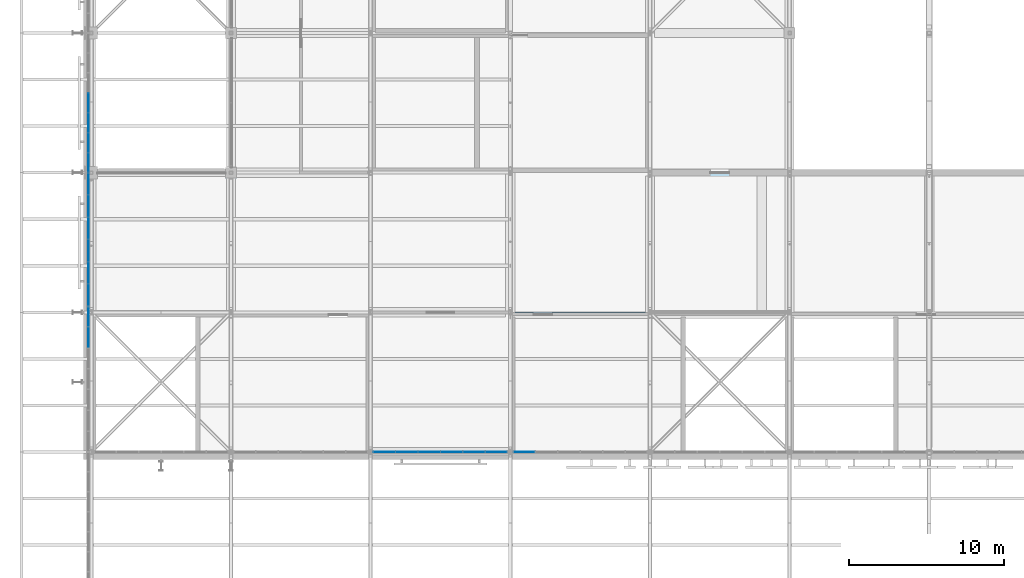
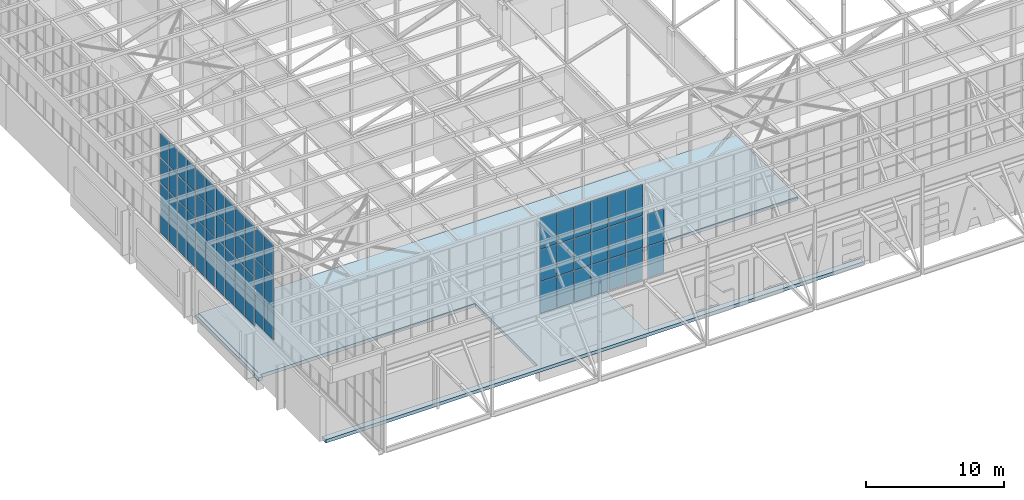
# One storey, part 142 of 646: 66 plates, 1 slab, 5 elements without a shape of their own.
"""IFC4 building model written with IfcOpenShell, lengths in metres."""

from ifc_helpers import new_model, si_unit, direction, frame, origin, origin_2d, place, context, subcontext, project, spatial, polyline, rectangle, outline, extrude, material, layer, layer_set, type_object, element, aggregate, save


model = new_model("IFC4")

# Units and contexts
model_context = context("Model", 3, precision=1e-05, world=origin(), true_north=direction((0.0, 1.0)))
body_context = subcontext(model_context, "Body", "Model", "MODEL_VIEW")
ifc_project = project(units=[si_unit("LENGTHUNIT", "METRE"), si_unit("AREAUNIT", "SQUARE_METRE"), si_unit("VOLUMEUNIT", "CUBIC_METRE"), si_unit("PLANEANGLEUNIT", "RADIAN"), si_unit("MASSUNIT", "GRAM", prefix="KILO")], contexts=[model_context])

# Site, building, storey
site_placement = place(None, origin())
site = spatial("IfcSite", under=ifc_project, at=site_placement, CompositionType="ELEMENT")
building_placement = place(site_placement, origin())
building = spatial("IfcBuilding", under=site, at=building_placement, Name="Silverbay Arena", CompositionType="ELEMENT")
storey_placement = place(building_placement, frame((0.0, 0.0, 33.5)))
storey = spatial("IfcBuildingStorey", under=building, at=storey_placement, Name="L05", CompositionType="ELEMENT", Elevation=33.5)

# Curtain wall, plates
ifc_material_1 = material(Name="Aluminium framed glazing", Category="aluminium")
curtain_wall_type_1 = type_object("IfcCurtainWallType", Name="Curtain wall clerestory 8693 x 8540", PredefinedType="NOTDEFINED", material=ifc_material_1)
curtain_wall_1_placement = place(storey_placement, origin())
curtain_wall_1 = element("IfcCurtainWall", 1, at=curtain_wall_1_placement, inside=storey, type_object=curtain_wall_type_1, Name="ROOF CLERESTORY CURTAIN WALL south bay 03", PredefinedType="NOTDEFINED")
ifc_material_2 = material(Name="Laminated glass", Category="glass")
ifc_layer_1 = layer(ifc_material_2, 0.028076171875)
ifc_layer_set_1 = layer_set([ifc_layer_1], Name="Laminated glass")
plate_type = type_object("IfcPlateType", Name="Glass panel 28", PredefinedType="CURTAIN_PANEL", material=ifc_layer_set_1)
plate_1_placement = place(storey_placement, frame((72.89306640625, 18.0, 4.509765625), z_axis=(0.0, 0.0, 1.0), x_axis=(1.0, 0.0, 0.0)))
plate_1 = element("IfcPlate", 2, at=plate_1_placement, type_object=plate_type, Name="CW55 panel 1.1", PredefinedType="CURTAIN_PANEL", context=body_context, shape_type="SweptSolid", body=[
    extrude(rectangle(XDim=1.35888671875, YDim=0.028076171875, at=origin_2d()), origin(), (0.0, 0.0, 1.0), 2.771728515625),
])
plate_2_placement = place(storey_placement, frame((72.89306640625, 18.0, 7.33154296875), z_axis=(0.0, 0.0, 1.0), x_axis=(1.0, 0.0, 0.0)))
plate_2 = element("IfcPlate", 3, at=plate_2_placement, type_object=plate_type, Name="CW55 panel 1.2", PredefinedType="CURTAIN_PANEL", context=body_context, shape_type="SweptSolid", body=[
    extrude(rectangle(XDim=1.35888671875, YDim=0.028076171875, at=origin_2d()), origin(), (0.0, 0.0, 1.0), 2.796630859375),
])
plate_3_placement = place(storey_placement, frame((72.89306640625, 18.0, 10.17822265625), z_axis=(0.0, 0.0, 1.0), x_axis=(1.0, 0.0, 0.0)))
plate_3 = element("IfcPlate", 4, at=plate_3_placement, type_object=plate_type, Name="CW55 panel 1.3", PredefinedType="CURTAIN_PANEL", context=body_context, shape_type="SweptSolid", body=[
    extrude(rectangle(XDim=1.35888671875, YDim=0.028076171875, at=origin_2d()), origin(), (0.0, 0.0, 1.0), 2.771728515625),
])
plate_4_placement = place(storey_placement, frame((74.326904296875, 18.0, 4.509765625), z_axis=(0.0, 0.0, 1.0), x_axis=(1.0, 0.0, 0.0)))
plate_4 = element("IfcPlate", 5, at=plate_4_placement, type_object=plate_type, Name="CW55 panel 2.1", PredefinedType="CURTAIN_PANEL", context=body_context, shape_type="SweptSolid", body=[
    extrude(rectangle(XDim=1.388671875, YDim=0.028076171875, at=origin_2d()), origin(), (0.0, 0.0, 1.0), 2.771728515625),
])
plate_5_placement = place(storey_placement, frame((74.326904296875, 18.0, 7.33154296875), z_axis=(0.0, 0.0, 1.0), x_axis=(1.0, 0.0, 0.0)))
plate_5 = element("IfcPlate", 6, at=plate_5_placement, type_object=plate_type, Name="CW55 panel 2.2", PredefinedType="CURTAIN_PANEL", context=body_context, shape_type="SweptSolid", body=[
    extrude(rectangle(XDim=1.388671875, YDim=0.028076171875, at=origin_2d()), origin(), (0.0, 0.0, 1.0), 2.796630859375),
])
plate_6_placement = place(storey_placement, frame((74.326904296875, 18.0, 10.17822265625), z_axis=(0.0, 0.0, 1.0), x_axis=(1.0, 0.0, 0.0)))
plate_6 = element("IfcPlate", 7, at=plate_6_placement, type_object=plate_type, Name="CW55 panel 2.3", PredefinedType="CURTAIN_PANEL", context=body_context, shape_type="SweptSolid", body=[
    extrude(rectangle(XDim=1.388671875, YDim=0.028076171875, at=origin_2d()), origin(), (0.0, 0.0, 1.0), 2.771728515625),
])
plate_7_placement = place(storey_placement, frame((75.775634765625, 18.0, 4.509765625), z_axis=(0.0, 0.0, 1.0), x_axis=(1.0, 0.0, 0.0)))
plate_7 = element("IfcPlate", 8, at=plate_7_placement, type_object=plate_type, Name="CW55 panel 3.1", PredefinedType="CURTAIN_PANEL", context=body_context, shape_type="SweptSolid", body=[
    extrude(rectangle(XDim=1.388671875, YDim=0.028076171875, at=origin_2d()), origin(), (0.0, 0.0, 1.0), 2.771728515625),
])
plate_8_placement = place(storey_placement, frame((75.775634765625, 18.0, 7.33154296875), z_axis=(0.0, 0.0, 1.0), x_axis=(1.0, 0.0, 0.0)))
plate_8 = element("IfcPlate", 9, at=plate_8_placement, type_object=plate_type, Name="CW55 panel 3.2", PredefinedType="CURTAIN_PANEL", context=body_context, shape_type="SweptSolid", body=[
    extrude(rectangle(XDim=1.388671875, YDim=0.028076171875, at=origin_2d()), origin(), (0.0, 0.0, 1.0), 2.796630859375),
])
plate_9_placement = place(storey_placement, frame((75.775634765625, 18.0, 10.17822265625), z_axis=(0.0, 0.0, 1.0), x_axis=(1.0, 0.0, 0.0)))
plate_9 = element("IfcPlate", 10, at=plate_9_placement, type_object=plate_type, Name="CW55 panel 3.3", PredefinedType="CURTAIN_PANEL", context=body_context, shape_type="SweptSolid", body=[
    extrude(rectangle(XDim=1.388671875, YDim=0.028076171875, at=origin_2d()), origin(), (0.0, 0.0, 1.0), 2.771728515625),
])
plate_10_placement = place(storey_placement, frame((77.224365234375, 18.0, 4.509765625), z_axis=(0.0, 0.0, 1.0), x_axis=(1.0, 0.0, 0.0)))
plate_10 = element("IfcPlate", 11, at=plate_10_placement, type_object=plate_type, Name="CW55 panel 4.1", PredefinedType="CURTAIN_PANEL", context=body_context, shape_type="SweptSolid", body=[
    extrude(rectangle(XDim=1.388671875, YDim=0.028076171875, at=origin_2d()), origin(), (0.0, 0.0, 1.0), 2.771728515625),
])
plate_11_placement = place(storey_placement, frame((77.224365234375, 18.0, 7.33154296875), z_axis=(0.0, 0.0, 1.0), x_axis=(1.0, 0.0, 0.0)))
plate_11 = element("IfcPlate", 12, at=plate_11_placement, type_object=plate_type, Name="CW55 panel 4.2", PredefinedType="CURTAIN_PANEL", context=body_context, shape_type="SweptSolid", body=[
    extrude(rectangle(XDim=1.388671875, YDim=0.028076171875, at=origin_2d()), origin(), (0.0, 0.0, 1.0), 2.796630859375),
])
plate_12_placement = place(storey_placement, frame((77.224365234375, 18.0, 10.17822265625), z_axis=(0.0, 0.0, 1.0), x_axis=(1.0, 0.0, 0.0)))
plate_12 = element("IfcPlate", 13, at=plate_12_placement, type_object=plate_type, Name="CW55 panel 4.3", PredefinedType="CURTAIN_PANEL", context=body_context, shape_type="SweptSolid", body=[
    extrude(rectangle(XDim=1.388671875, YDim=0.028076171875, at=origin_2d()), origin(), (0.0, 0.0, 1.0), 2.771728515625),
])
plate_13_placement = place(storey_placement, frame((78.673095703125, 18.0, 4.509765625), z_axis=(0.0, 0.0, 1.0), x_axis=(1.0, 0.0, 0.0)))
plate_13 = element("IfcPlate", 14, at=plate_13_placement, type_object=plate_type, Name="CW55 panel 5.1", PredefinedType="CURTAIN_PANEL", context=body_context, shape_type="SweptSolid", body=[
    extrude(rectangle(XDim=1.388671875, YDim=0.028076171875, at=origin_2d()), origin(), (0.0, 0.0, 1.0), 2.771728515625),
])
plate_14_placement = place(storey_placement, frame((78.673095703125, 18.0, 7.33154296875), z_axis=(0.0, 0.0, 1.0), x_axis=(1.0, 0.0, 0.0)))
plate_14 = element("IfcPlate", 15, at=plate_14_placement, type_object=plate_type, Name="CW55 panel 5.2", PredefinedType="CURTAIN_PANEL", context=body_context, shape_type="SweptSolid", body=[
    extrude(rectangle(XDim=1.388671875, YDim=0.028076171875, at=origin_2d()), origin(), (0.0, 0.0, 1.0), 2.796630859375),
])
plate_15_placement = place(storey_placement, frame((78.673095703125, 18.0, 10.17822265625), z_axis=(0.0, 0.0, 1.0), x_axis=(1.0, 0.0, 0.0)))
plate_15 = element("IfcPlate", 16, at=plate_15_placement, type_object=plate_type, Name="CW55 panel 5.3", PredefinedType="CURTAIN_PANEL", context=body_context, shape_type="SweptSolid", body=[
    extrude(rectangle(XDim=1.388671875, YDim=0.028076171875, at=origin_2d()), origin(), (0.0, 0.0, 1.0), 2.771728515625),
])
plate_16_placement = place(storey_placement, frame((80.10693359375, 18.0, 4.509765625), z_axis=(0.0, 0.0, 1.0), x_axis=(1.0, 0.0, 0.0)))
plate_16 = element("IfcPlate", 17, at=plate_16_placement, type_object=plate_type, Name="CW55 panel 6.1", PredefinedType="CURTAIN_PANEL", context=body_context, shape_type="SweptSolid", body=[
    extrude(rectangle(XDim=1.35888671875, YDim=0.028076171875, at=origin_2d()), origin(), (0.0, 0.0, 1.0), 2.771728515625),
])
plate_17_placement = place(storey_placement, frame((80.10693359375, 18.0, 7.33154296875), z_axis=(0.0, 0.0, 1.0), x_axis=(1.0, 0.0, 0.0)))
plate_17 = element("IfcPlate", 18, at=plate_17_placement, type_object=plate_type, Name="CW55 panel 6.2", PredefinedType="CURTAIN_PANEL", context=body_context, shape_type="SweptSolid", body=[
    extrude(rectangle(XDim=1.35888671875, YDim=0.028076171875, at=origin_2d()), origin(), (0.0, 0.0, 1.0), 2.796630859375),
])
plate_18_placement = place(storey_placement, frame((80.10693359375, 18.0, 10.17822265625), z_axis=(0.0, 0.0, 1.0), x_axis=(1.0, 0.0, 0.0)))
plate_18 = element("IfcPlate", 19, at=plate_18_placement, type_object=plate_type, Name="CW55 panel 6.3", PredefinedType="CURTAIN_PANEL", context=body_context, shape_type="SweptSolid", body=[
    extrude(rectangle(XDim=1.35888671875, YDim=0.028076171875, at=origin_2d()), origin(), (0.0, 0.0, 1.0), 2.771728515625),
])
aggregate(curtain_wall_1, [plate_1, plate_2, plate_3, plate_4, plate_5, plate_6, plate_7, plate_8, plate_9, plate_10, plate_11, plate_12, plate_13, plate_14, plate_15, plate_16, plate_17, plate_18])

curtain_wall_2_placement = place(storey_placement, origin())
curtain_wall_2 = element("IfcCurtainWall", 20, at=curtain_wall_2_placement, inside=storey, type_object=curtain_wall_type_1, Name="ROOF CLERESTORY CURTAIN WALL south bay 04", PredefinedType="NOTDEFINED")
plate_19_placement = place(storey_placement, frame((81.89306640625, 18.0, 4.509765625), z_axis=(0.0, 0.0, 1.0), x_axis=(1.0, 0.0, 0.0)))
plate_19 = element("IfcPlate", 21, at=plate_19_placement, type_object=plate_type, Name="CW55 panel 1.1", PredefinedType="CURTAIN_PANEL", context=body_context, shape_type="SweptSolid", body=[
    extrude(rectangle(XDim=1.35888671875, YDim=0.028076171875, at=origin_2d()), origin(), (0.0, 0.0, 1.0), 2.771728515625),
])
plate_20_placement = place(storey_placement, frame((81.89306640625, 18.0, 7.33154296875), z_axis=(0.0, 0.0, 1.0), x_axis=(1.0, 0.0, 0.0)))
plate_20 = element("IfcPlate", 22, at=plate_20_placement, type_object=plate_type, Name="CW55 panel 1.2", PredefinedType="CURTAIN_PANEL", context=body_context, shape_type="SweptSolid", body=[
    extrude(rectangle(XDim=1.35888671875, YDim=0.028076171875, at=origin_2d()), origin(), (0.0, 0.0, 1.0), 2.796630859375),
])
aggregate(curtain_wall_2, [plate_19, plate_20])

ifc_material_3 = material(Name="Aluminium framed glazing", Category="aluminium")
curtain_wall_type_2 = type_object("IfcCurtainWallType", Name="Curtain wall clerestory 9400 x 8547", PredefinedType="NOTDEFINED", material=ifc_material_3)
curtain_wall_3_placement = place(storey_placement, origin())
curtain_wall_3 = element("IfcCurtainWall", 23, at=curtain_wall_3_placement, inside=storey, type_object=curtain_wall_type_2, Name="ROOF GABLE CLERESTORY CURTAIN WALL west bay 02", PredefinedType="NOTDEFINED")
plate_21_placement = place(storey_placement, frame((53.820068359375, 25.3857421875, 4.50341796875), z_axis=(0.0, 0.0, 1.0), x_axis=(0.0, 1.0, 0.0)))
plate_21 = element("IfcPlate", 24, at=plate_21_placement, type_object=plate_type, Name="CW58 panel 6.1", PredefinedType="CURTAIN_PANEL", context=body_context, shape_type="SweptSolid", body=[
    extrude(rectangle(XDim=1.282958984375, YDim=0.028076171875, at=origin_2d()), origin(), (0.0, 0.0, 1.0), 2.77392578125),
])
plate_22_placement = place(storey_placement, frame((53.820068359375, 25.3857421875, 7.327392578125), z_axis=(0.0, 0.0, 1.0), x_axis=(0.0, 1.0, 0.0)))
plate_22 = element("IfcPlate", 25, at=plate_22_placement, type_object=plate_type, Name="CW58 panel 6.2", PredefinedType="CURTAIN_PANEL", context=body_context, shape_type="SweptSolid", body=[
    extrude(rectangle(XDim=1.282958984375, YDim=0.028076171875, at=origin_2d()), origin(), (0.0, 0.0, 1.0), 2.798828125),
])
plate_23_placement = place(storey_placement, frame((53.820068359375, 25.3857421875, 10.176025390625), z_axis=(0.0, 0.0, 1.0), x_axis=(0.0, 1.0, 0.0)))
plate_23 = element("IfcPlate", 26, at=plate_23_placement, type_object=plate_type, Name="CW58 panel 6.3", PredefinedType="CURTAIN_PANEL", context=body_context, shape_type="SweptSolid", body=[
    extrude(rectangle(XDim=1.282958984375, YDim=0.028076171875, at=origin_2d()), origin(), (0.0, 0.0, 1.0), 2.77392578125),
])
plate_24_placement = place(storey_placement, frame((53.820068359375, 26.713623046875, 4.50341796875), z_axis=(0.0, 0.0, 1.0), x_axis=(0.0, 1.0, 0.0)))
plate_24 = element("IfcPlate", 27, at=plate_24_placement, type_object=plate_type, Name="CW58 panel 7.1", PredefinedType="CURTAIN_PANEL", context=body_context, shape_type="SweptSolid", body=[
    extrude(rectangle(XDim=1.2529296875, YDim=0.028076171875, at=origin_2d()), origin(), (0.0, 0.0, 1.0), 2.77392578125),
])
plate_25_placement = place(storey_placement, frame((53.820068359375, 26.713623046875, 7.327392578125), z_axis=(0.0, 0.0, 1.0), x_axis=(0.0, 1.0, 0.0)))
plate_25 = element("IfcPlate", 28, at=plate_25_placement, type_object=plate_type, Name="CW58 panel 7.2", PredefinedType="CURTAIN_PANEL", context=body_context, shape_type="SweptSolid", body=[
    extrude(rectangle(XDim=1.2529296875, YDim=0.028076171875, at=origin_2d()), origin(), (0.0, 0.0, 1.0), 2.798828125),
])
plate_26_placement = place(storey_placement, frame((53.820068359375, 26.713623046875, 10.176025390625), z_axis=(0.0, 0.0, 1.0), x_axis=(0.0, 1.0, 0.0)))
plate_26 = element("IfcPlate", 29, at=plate_26_placement, type_object=plate_type, Name="CW58 panel 7.3", PredefinedType="CURTAIN_PANEL", context=body_context, shape_type="SweptSolid", body=[
    extrude(rectangle(XDim=1.2529296875, YDim=0.028076171875, at=origin_2d()), origin(), (0.0, 0.0, 1.0), 2.77392578125),
])
aggregate(curtain_wall_3, [plate_21, plate_22, plate_23, plate_24, plate_25, plate_26])

ifc_material_4 = material(Name="Aluminium framed glazing", Category="aluminium")
curtain_wall_type_3 = type_object("IfcCurtainWallType", Name="Curtain wall clerestory 8600 x 9000", PredefinedType="NOTDEFINED", material=ifc_material_4)
curtain_wall_4_placement = place(storey_placement, origin())
curtain_wall_4 = element("IfcCurtainWall", 30, at=curtain_wall_4_placement, inside=storey, type_object=curtain_wall_type_3, Name="ROOF GABLE CLERESTORY CURTAIN WALL west bay 03", PredefinedType="NOTDEFINED")
plate_27_placement = place(storey_placement, frame((53.820068359375, 28.131591796875, 4.0498046875), z_axis=(0.0, 0.0, 1.0), x_axis=(0.0, 1.0, 0.0)))
plate_27 = element("IfcPlate", 31, at=plate_27_placement, type_object=plate_type, Name="CW59 panel 1.1", PredefinedType="CURTAIN_PANEL", context=body_context, shape_type="SweptSolid", body=[
    extrude(rectangle(XDim=1.34326171875, YDim=0.028076171875, at=origin_2d()), origin(), (0.0, 0.0, 1.0), 2.175048828125),
])
plate_28_placement = place(storey_placement, frame((53.820068359375, 28.131591796875, 6.27490234375), z_axis=(0.0, 0.0, 1.0), x_axis=(0.0, 1.0, 0.0)))
plate_28 = element("IfcPlate", 32, at=plate_28_placement, type_object=plate_type, Name="CW59 panel 1.2", PredefinedType="CURTAIN_PANEL", context=body_context, shape_type="SweptSolid", body=[
    extrude(rectangle(XDim=1.34326171875, YDim=0.028076171875, at=origin_2d()), origin(), (0.0, 0.0, 1.0), 2.199951171875),
])
plate_29_placement = place(storey_placement, frame((53.820068359375, 28.131591796875, 8.52490234375), z_axis=(0.0, 0.0, 1.0), x_axis=(0.0, 1.0, 0.0)))
plate_29 = element("IfcPlate", 33, at=plate_29_placement, type_object=plate_type, Name="CW59 panel 1.3", PredefinedType="CURTAIN_PANEL", context=body_context, shape_type="SweptSolid", body=[
    extrude(rectangle(XDim=1.34326171875, YDim=0.028076171875, at=origin_2d()), origin(), (0.0, 0.0, 1.0), 2.199951171875),
])
plate_30_placement = place(storey_placement, frame((53.820068359375, 28.131591796875, 10.77490234375), z_axis=(0.0, 0.0, 1.0), x_axis=(0.0, 1.0, 0.0)))
plate_30 = element("IfcPlate", 34, at=plate_30_placement, type_object=plate_type, Name="CW59 panel 1.4", PredefinedType="CURTAIN_PANEL", context=body_context, shape_type="SweptSolid", body=[
    extrude(rectangle(XDim=1.34326171875, YDim=0.028076171875, at=origin_2d()), origin(), (0.0, 0.0, 1.0), 2.175048828125),
])
plate_31_placement = place(storey_placement, frame((53.820068359375, 29.550048828125, 4.0498046875), z_axis=(0.0, 0.0, 1.0), x_axis=(0.0, 1.0, 0.0)))
plate_31 = element("IfcPlate", 35, at=plate_31_placement, type_object=plate_type, Name="CW59 panel 2.1", PredefinedType="CURTAIN_PANEL", context=body_context, shape_type="SweptSolid", body=[
    extrude(rectangle(XDim=1.373291015625, YDim=0.028076171875, at=origin_2d()), origin(), (0.0, 0.0, 1.0), 2.175048828125),
])
plate_32_placement = place(storey_placement, frame((53.820068359375, 29.550048828125, 6.27490234375), z_axis=(0.0, 0.0, 1.0), x_axis=(0.0, 1.0, 0.0)))
plate_32 = element("IfcPlate", 36, at=plate_32_placement, type_object=plate_type, Name="CW59 panel 2.2", PredefinedType="CURTAIN_PANEL", context=body_context, shape_type="SweptSolid", body=[
    extrude(rectangle(XDim=1.373291015625, YDim=0.028076171875, at=origin_2d()), origin(), (0.0, 0.0, 1.0), 2.199951171875),
])
plate_33_placement = place(storey_placement, frame((53.820068359375, 29.550048828125, 8.52490234375), z_axis=(0.0, 0.0, 1.0), x_axis=(0.0, 1.0, 0.0)))
plate_33 = element("IfcPlate", 37, at=plate_33_placement, type_object=plate_type, Name="CW59 panel 2.3", PredefinedType="CURTAIN_PANEL", context=body_context, shape_type="SweptSolid", body=[
    extrude(rectangle(XDim=1.373291015625, YDim=0.028076171875, at=origin_2d()), origin(), (0.0, 0.0, 1.0), 2.199951171875),
])
plate_34_placement = place(storey_placement, frame((53.820068359375, 29.550048828125, 10.77490234375), z_axis=(0.0, 0.0, 1.0), x_axis=(0.0, 1.0, 0.0)))
plate_34 = element("IfcPlate", 38, at=plate_34_placement, type_object=plate_type, Name="CW59 panel 2.4", PredefinedType="CURTAIN_PANEL", context=body_context, shape_type="SweptSolid", body=[
    extrude(rectangle(XDim=1.373291015625, YDim=0.028076171875, at=origin_2d()), origin(), (0.0, 0.0, 1.0), 2.175048828125),
])
plate_35_placement = place(storey_placement, frame((53.820068359375, 30.9833984375, 4.0498046875), z_axis=(0.0, 0.0, 1.0), x_axis=(0.0, 1.0, 0.0)))
plate_35 = element("IfcPlate", 39, at=plate_35_placement, type_object=plate_type, Name="CW59 panel 3.1", PredefinedType="CURTAIN_PANEL", context=body_context, shape_type="SweptSolid", body=[
    extrude(rectangle(XDim=1.373291015625, YDim=0.028076171875, at=origin_2d()), origin(), (0.0, 0.0, 1.0), 2.175048828125),
])
plate_36_placement = place(storey_placement, frame((53.820068359375, 30.9833984375, 6.27490234375), z_axis=(0.0, 0.0, 1.0), x_axis=(0.0, 1.0, 0.0)))
plate_36 = element("IfcPlate", 40, at=plate_36_placement, type_object=plate_type, Name="CW59 panel 3.2", PredefinedType="CURTAIN_PANEL", context=body_context, shape_type="SweptSolid", body=[
    extrude(rectangle(XDim=1.373291015625, YDim=0.028076171875, at=origin_2d()), origin(), (0.0, 0.0, 1.0), 2.199951171875),
])
plate_37_placement = place(storey_placement, frame((53.820068359375, 30.9833984375, 8.52490234375), z_axis=(0.0, 0.0, 1.0), x_axis=(0.0, 1.0, 0.0)))
plate_37 = element("IfcPlate", 41, at=plate_37_placement, type_object=plate_type, Name="CW59 panel 3.3", PredefinedType="CURTAIN_PANEL", context=body_context, shape_type="SweptSolid", body=[
    extrude(rectangle(XDim=1.373291015625, YDim=0.028076171875, at=origin_2d()), origin(), (0.0, 0.0, 1.0), 2.199951171875),
])
plate_38_placement = place(storey_placement, frame((53.820068359375, 30.9833984375, 10.77490234375), z_axis=(0.0, 0.0, 1.0), x_axis=(0.0, 1.0, 0.0)))
plate_38 = element("IfcPlate", 42, at=plate_38_placement, type_object=plate_type, Name="CW59 panel 3.4", PredefinedType="CURTAIN_PANEL", context=body_context, shape_type="SweptSolid", body=[
    extrude(rectangle(XDim=1.373291015625, YDim=0.028076171875, at=origin_2d()), origin(), (0.0, 0.0, 1.0), 2.175048828125),
])
plate_39_placement = place(storey_placement, frame((53.820068359375, 32.416748046875, 4.0498046875), z_axis=(0.0, 0.0, 1.0), x_axis=(0.0, 1.0, 0.0)))
plate_39 = element("IfcPlate", 43, at=plate_39_placement, type_object=plate_type, Name="CW59 panel 4.1", PredefinedType="CURTAIN_PANEL", context=body_context, shape_type="SweptSolid", body=[
    extrude(rectangle(XDim=1.373291015625, YDim=0.028076171875, at=origin_2d()), origin(), (0.0, 0.0, 1.0), 2.175048828125),
])
plate_40_placement = place(storey_placement, frame((53.820068359375, 32.416748046875, 6.27490234375), z_axis=(0.0, 0.0, 1.0), x_axis=(0.0, 1.0, 0.0)))
plate_40 = element("IfcPlate", 44, at=plate_40_placement, type_object=plate_type, Name="CW59 panel 4.2", PredefinedType="CURTAIN_PANEL", context=body_context, shape_type="SweptSolid", body=[
    extrude(rectangle(XDim=1.373291015625, YDim=0.028076171875, at=origin_2d()), origin(), (0.0, 0.0, 1.0), 2.199951171875),
])
plate_41_placement = place(storey_placement, frame((53.820068359375, 32.416748046875, 8.52490234375), z_axis=(0.0, 0.0, 1.0), x_axis=(0.0, 1.0, 0.0)))
plate_41 = element("IfcPlate", 45, at=plate_41_placement, type_object=plate_type, Name="CW59 panel 4.3", PredefinedType="CURTAIN_PANEL", context=body_context, shape_type="SweptSolid", body=[
    extrude(rectangle(XDim=1.373291015625, YDim=0.028076171875, at=origin_2d()), origin(), (0.0, 0.0, 1.0), 2.199951171875),
])
plate_42_placement = place(storey_placement, frame((53.820068359375, 32.416748046875, 10.77490234375), z_axis=(0.0, 0.0, 1.0), x_axis=(0.0, 1.0, 0.0)))
plate_42 = element("IfcPlate", 46, at=plate_42_placement, type_object=plate_type, Name="CW59 panel 4.4", PredefinedType="CURTAIN_PANEL", context=body_context, shape_type="SweptSolid", body=[
    extrude(rectangle(XDim=1.373291015625, YDim=0.028076171875, at=origin_2d()), origin(), (0.0, 0.0, 1.0), 2.175048828125),
])
plate_43_placement = place(storey_placement, frame((53.820068359375, 33.85009765625, 4.0498046875), z_axis=(0.0, 0.0, 1.0), x_axis=(0.0, 1.0, 0.0)))
plate_43 = element("IfcPlate", 47, at=plate_43_placement, type_object=plate_type, Name="CW59 panel 5.1", PredefinedType="CURTAIN_PANEL", context=body_context, shape_type="SweptSolid", body=[
    extrude(rectangle(XDim=1.373291015625, YDim=0.028076171875, at=origin_2d()), origin(), (0.0, 0.0, 1.0), 2.175048828125),
])
plate_44_placement = place(storey_placement, frame((53.820068359375, 33.85009765625, 6.27490234375), z_axis=(0.0, 0.0, 1.0), x_axis=(0.0, 1.0, 0.0)))
plate_44 = element("IfcPlate", 48, at=plate_44_placement, type_object=plate_type, Name="CW59 panel 5.2", PredefinedType="CURTAIN_PANEL", context=body_context, shape_type="SweptSolid", body=[
    extrude(rectangle(XDim=1.373291015625, YDim=0.028076171875, at=origin_2d()), origin(), (0.0, 0.0, 1.0), 2.199951171875),
])
plate_45_placement = place(storey_placement, frame((53.820068359375, 33.85009765625, 8.52490234375), z_axis=(0.0, 0.0, 1.0), x_axis=(0.0, 1.0, 0.0)))
plate_45 = element("IfcPlate", 49, at=plate_45_placement, type_object=plate_type, Name="CW59 panel 5.3", PredefinedType="CURTAIN_PANEL", context=body_context, shape_type="SweptSolid", body=[
    extrude(rectangle(XDim=1.373291015625, YDim=0.028076171875, at=origin_2d()), origin(), (0.0, 0.0, 1.0), 2.199951171875),
])
plate_46_placement = place(storey_placement, frame((53.820068359375, 33.85009765625, 10.77490234375), z_axis=(0.0, 0.0, 1.0), x_axis=(0.0, 1.0, 0.0)))
plate_46 = element("IfcPlate", 50, at=plate_46_placement, type_object=plate_type, Name="CW59 panel 5.4", PredefinedType="CURTAIN_PANEL", context=body_context, shape_type="SweptSolid", body=[
    extrude(rectangle(XDim=1.373291015625, YDim=0.028076171875, at=origin_2d()), origin(), (0.0, 0.0, 1.0), 2.175048828125),
])
plate_47_placement = place(storey_placement, frame((53.820068359375, 35.268310546875, 4.0498046875), z_axis=(0.0, 0.0, 1.0), x_axis=(0.0, 1.0, 0.0)))
plate_47 = element("IfcPlate", 51, at=plate_47_placement, type_object=plate_type, Name="CW59 panel 6.1", PredefinedType="CURTAIN_PANEL", context=body_context, shape_type="SweptSolid", body=[
    extrude(rectangle(XDim=1.34326171875, YDim=0.028076171875, at=origin_2d()), origin(), (0.0, 0.0, 1.0), 2.175048828125),
])
plate_48_placement = place(storey_placement, frame((53.820068359375, 35.268310546875, 6.27490234375), z_axis=(0.0, 0.0, 1.0), x_axis=(0.0, 1.0, 0.0)))
plate_48 = element("IfcPlate", 52, at=plate_48_placement, type_object=plate_type, Name="CW59 panel 6.2", PredefinedType="CURTAIN_PANEL", context=body_context, shape_type="SweptSolid", body=[
    extrude(rectangle(XDim=1.34326171875, YDim=0.028076171875, at=origin_2d()), origin(), (0.0, 0.0, 1.0), 2.199951171875),
])
plate_49_placement = place(storey_placement, frame((53.820068359375, 35.268310546875, 8.52490234375), z_axis=(0.0, 0.0, 1.0), x_axis=(0.0, 1.0, 0.0)))
plate_49 = element("IfcPlate", 53, at=plate_49_placement, type_object=plate_type, Name="CW59 panel 6.3", PredefinedType="CURTAIN_PANEL", context=body_context, shape_type="SweptSolid", body=[
    extrude(rectangle(XDim=1.34326171875, YDim=0.028076171875, at=origin_2d()), origin(), (0.0, 0.0, 1.0), 2.199951171875),
])
plate_50_placement = place(storey_placement, frame((53.820068359375, 35.268310546875, 10.77490234375), z_axis=(0.0, 0.0, 1.0), x_axis=(0.0, 1.0, 0.0)))
plate_50 = element("IfcPlate", 54, at=plate_50_placement, type_object=plate_type, Name="CW59 panel 6.4", PredefinedType="CURTAIN_PANEL", context=body_context, shape_type="SweptSolid", body=[
    extrude(rectangle(XDim=1.34326171875, YDim=0.028076171875, at=origin_2d()), origin(), (0.0, 0.0, 1.0), 2.175048828125),
])
aggregate(curtain_wall_4, [plate_27, plate_28, plate_29, plate_30, plate_31, plate_32, plate_33, plate_34, plate_35, plate_36, plate_37, plate_38, plate_39, plate_40, plate_41, plate_42, plate_43, plate_44, plate_45, plate_46, plate_47, plate_48, plate_49, plate_50])

ifc_material_5 = material(Name="Aluminium framed glazing", Category="aluminium")
curtain_wall_type_4 = type_object("IfcCurtainWallType", Name="Curtain wall clerestory 9000 x 9000", PredefinedType="NOTDEFINED", material=ifc_material_5)
curtain_wall_5_placement = place(storey_placement, origin())
curtain_wall_5 = element("IfcCurtainWall", 55, at=curtain_wall_5_placement, inside=storey, type_object=curtain_wall_type_4, Name="ROOF GABLE CLERESTORY CURTAIN WALL west bay 04", PredefinedType="NOTDEFINED")
plate_51_placement = place(storey_placement, frame((53.820068359375, 36.657958984375, 4.0498046875), z_axis=(0.0, 0.0, 1.0), x_axis=(0.0, 1.0, 0.0)))
plate_51 = element("IfcPlate", 56, at=plate_51_placement, type_object=plate_type, Name="CW60 panel 1.1", PredefinedType="CURTAIN_PANEL", context=body_context, shape_type="SweptSolid", body=[
    extrude(rectangle(XDim=1.19580078125, YDim=0.028076171875, at=origin_2d()), origin(), (0.0, 0.0, 1.0), 2.175048828125),
])
plate_52_placement = place(storey_placement, frame((53.820068359375, 36.657958984375, 6.27490234375), z_axis=(0.0, 0.0, 1.0), x_axis=(0.0, 1.0, 0.0)))
plate_52 = element("IfcPlate", 57, at=plate_52_placement, type_object=plate_type, Name="CW60 panel 1.2", PredefinedType="CURTAIN_PANEL", context=body_context, shape_type="SweptSolid", body=[
    extrude(rectangle(XDim=1.19580078125, YDim=0.028076171875, at=origin_2d()), origin(), (0.0, 0.0, 1.0), 2.199951171875),
])
plate_53_placement = place(storey_placement, frame((53.820068359375, 36.657958984375, 8.52490234375), z_axis=(0.0, 0.0, 1.0), x_axis=(0.0, 1.0, 0.0)))
plate_53 = element("IfcPlate", 58, at=plate_53_placement, type_object=plate_type, Name="CW60 panel 1.3", PredefinedType="CURTAIN_PANEL", context=body_context, shape_type="SweptSolid", body=[
    extrude(rectangle(XDim=1.19580078125, YDim=0.028076171875, at=origin_2d()), origin(), (0.0, 0.0, 1.0), 2.199951171875),
])
plate_54_placement = place(storey_placement, frame((53.820068359375, 36.657958984375, 10.77490234375), z_axis=(0.0, 0.0, 1.0), x_axis=(0.0, 1.0, 0.0)))
plate_54 = element("IfcPlate", 59, at=plate_54_placement, type_object=plate_type, Name="CW60 panel 1.4", PredefinedType="CURTAIN_PANEL", context=body_context, shape_type="SweptSolid", body=[
    extrude(rectangle(XDim=1.19580078125, YDim=0.028076171875, at=origin_2d()), origin(), (0.0, 0.0, 1.0), 2.175048828125),
])
plate_55_placement = place(storey_placement, frame((53.820068359375, 37.928466796875, 4.0498046875), z_axis=(0.0, 0.0, 1.0), x_axis=(0.0, 1.0, 0.0)))
plate_55 = element("IfcPlate", 60, at=plate_55_placement, type_object=plate_type, Name="CW60 panel 2.1", PredefinedType="CURTAIN_PANEL", context=body_context, shape_type="SweptSolid", body=[
    extrude(rectangle(XDim=1.225830078125, YDim=0.028076171875, at=origin_2d()), origin(), (0.0, 0.0, 1.0), 2.175048828125),
])
plate_56_placement = place(storey_placement, frame((53.820068359375, 37.928466796875, 6.27490234375), z_axis=(0.0, 0.0, 1.0), x_axis=(0.0, 1.0, 0.0)))
plate_56 = element("IfcPlate", 61, at=plate_56_placement, type_object=plate_type, Name="CW60 panel 2.2", PredefinedType="CURTAIN_PANEL", context=body_context, shape_type="SweptSolid", body=[
    extrude(rectangle(XDim=1.225830078125, YDim=0.028076171875, at=origin_2d()), origin(), (0.0, 0.0, 1.0), 2.199951171875),
])
plate_57_placement = place(storey_placement, frame((53.820068359375, 37.928466796875, 8.52490234375), z_axis=(0.0, 0.0, 1.0), x_axis=(0.0, 1.0, 0.0)))
plate_57 = element("IfcPlate", 62, at=plate_57_placement, type_object=plate_type, Name="CW60 panel 2.3", PredefinedType="CURTAIN_PANEL", context=body_context, shape_type="SweptSolid", body=[
    extrude(rectangle(XDim=1.225830078125, YDim=0.028076171875, at=origin_2d()), origin(), (0.0, 0.0, 1.0), 2.199951171875),
])
plate_58_placement = place(storey_placement, frame((53.820068359375, 37.928466796875, 10.77490234375), z_axis=(0.0, 0.0, 1.0), x_axis=(0.0, 1.0, 0.0)))
plate_58 = element("IfcPlate", 63, at=plate_58_placement, type_object=plate_type, Name="CW60 panel 2.4", PredefinedType="CURTAIN_PANEL", context=body_context, shape_type="SweptSolid", body=[
    extrude(rectangle(XDim=1.225830078125, YDim=0.028076171875, at=origin_2d()), origin(), (0.0, 0.0, 1.0), 2.175048828125),
])
plate_59_placement = place(storey_placement, frame((53.820068359375, 39.21435546875, 4.0498046875), z_axis=(0.0, 0.0, 1.0), x_axis=(0.0, 1.0, 0.0)))
plate_59 = element("IfcPlate", 64, at=plate_59_placement, type_object=plate_type, Name="CW60 panel 3.1", PredefinedType="CURTAIN_PANEL", context=body_context, shape_type="SweptSolid", body=[
    extrude(rectangle(XDim=1.225830078125, YDim=0.028076171875, at=origin_2d()), origin(), (0.0, 0.0, 1.0), 2.175048828125),
])
plate_60_placement = place(storey_placement, frame((53.820068359375, 39.21435546875, 6.27490234375), z_axis=(0.0, 0.0, 1.0), x_axis=(0.0, 1.0, 0.0)))
plate_60 = element("IfcPlate", 65, at=plate_60_placement, type_object=plate_type, Name="CW60 panel 3.2", PredefinedType="CURTAIN_PANEL", context=body_context, shape_type="SweptSolid", body=[
    extrude(rectangle(XDim=1.225830078125, YDim=0.028076171875, at=origin_2d()), origin(), (0.0, 0.0, 1.0), 2.199951171875),
])
plate_61_placement = place(storey_placement, frame((53.820068359375, 39.21435546875, 8.52490234375), z_axis=(0.0, 0.0, 1.0), x_axis=(0.0, 1.0, 0.0)))
plate_61 = element("IfcPlate", 66, at=plate_61_placement, type_object=plate_type, Name="CW60 panel 3.3", PredefinedType="CURTAIN_PANEL", context=body_context, shape_type="SweptSolid", body=[
    extrude(rectangle(XDim=1.225830078125, YDim=0.028076171875, at=origin_2d()), origin(), (0.0, 0.0, 1.0), 2.199951171875),
])
plate_62_placement = place(storey_placement, frame((53.820068359375, 39.21435546875, 10.77490234375), z_axis=(0.0, 0.0, 1.0), x_axis=(0.0, 1.0, 0.0)))
plate_62 = element("IfcPlate", 67, at=plate_62_placement, type_object=plate_type, Name="CW60 panel 3.4", PredefinedType="CURTAIN_PANEL", context=body_context, shape_type="SweptSolid", body=[
    extrude(rectangle(XDim=1.225830078125, YDim=0.028076171875, at=origin_2d()), origin(), (0.0, 0.0, 1.0), 2.175048828125),
])
plate_63_placement = place(storey_placement, frame((53.820068359375, 40.5, 4.0498046875), z_axis=(0.0, 0.0, 1.0), x_axis=(0.0, 1.0, 0.0)))
plate_63 = element("IfcPlate", 68, at=plate_63_placement, type_object=plate_type, Name="CW60 panel 4.1", PredefinedType="CURTAIN_PANEL", context=body_context, shape_type="SweptSolid", body=[
    extrude(rectangle(XDim=1.225830078125, YDim=0.028076171875, at=origin_2d()), origin(), (0.0, 0.0, 1.0), 2.175048828125),
])
plate_64_placement = place(storey_placement, frame((53.820068359375, 40.5, 6.27490234375), z_axis=(0.0, 0.0, 1.0), x_axis=(0.0, 1.0, 0.0)))
plate_64 = element("IfcPlate", 69, at=plate_64_placement, type_object=plate_type, Name="CW60 panel 4.2", PredefinedType="CURTAIN_PANEL", context=body_context, shape_type="SweptSolid", body=[
    extrude(rectangle(XDim=1.225830078125, YDim=0.028076171875, at=origin_2d()), origin(), (0.0, 0.0, 1.0), 2.199951171875),
])
plate_65_placement = place(storey_placement, frame((53.820068359375, 40.5, 8.52490234375), z_axis=(0.0, 0.0, 1.0), x_axis=(0.0, 1.0, 0.0)))
plate_65 = element("IfcPlate", 70, at=plate_65_placement, type_object=plate_type, Name="CW60 panel 4.3", PredefinedType="CURTAIN_PANEL", context=body_context, shape_type="SweptSolid", body=[
    extrude(rectangle(XDim=1.225830078125, YDim=0.028076171875, at=origin_2d()), origin(), (0.0, 0.0, 1.0), 2.199951171875),
])
plate_66_placement = place(storey_placement, frame((53.820068359375, 40.5, 10.77490234375), z_axis=(0.0, 0.0, 1.0), x_axis=(0.0, 1.0, 0.0)))
plate_66 = element("IfcPlate", 71, at=plate_66_placement, type_object=plate_type, Name="CW60 panel 4.4", PredefinedType="CURTAIN_PANEL", context=body_context, shape_type="SweptSolid", body=[
    extrude(rectangle(XDim=1.225830078125, YDim=0.028076171875, at=origin_2d()), origin(), (0.0, 0.0, 1.0), 2.175048828125),
])
aggregate(curtain_wall_5, [plate_51, plate_52, plate_53, plate_54, plate_55, plate_56, plate_57, plate_58, plate_59, plate_60, plate_61, plate_62, plate_63, plate_64, plate_65, plate_66])

# Slab
ifc_material_6 = material(Name="Concrete Grade C45", Category="concrete")
ifc_layer_2 = layer(ifc_material_6, 0.300048828125)
ifc_layer_set_2 = layer_set([ifc_layer_2], Name="Concrete Grade C45")
slab_type = type_object("IfcSlabType", Name="RC floor slab 300", PredefinedType="FLOOR", material=ifc_layer_set_2)
slab_placement = place(storey_placement, frame((0.0, 0.0, -0.300048828125)))
element("IfcSlab", 72, at=slab_placement, inside=storey, type_object=slab_type, Name="Floor slab L05 unit 1", PredefinedType="FLOOR", context=body_context, shape_type="SweptSolid", body=[
    extrude(outline(polyline([(54.0, 18.02490234375), (54.02490234375, 18.02490234375), (54.02490234375, 18.0), (72.0, 18.0), (72.0, 27.0), (54.02490234375, 27.0), (54.02490234375, 26.97509765625), (54.0, 26.97509765625), (54.0, 26.699951171875), (53.699951171875, 26.699951171875), (53.699951171875, 27.324951171875), (53.72509765625, 27.324951171875), (53.72509765625, 35.89990234375), (54.0, 35.89990234375), (54.0, 27.02490234375), (54.02490234375, 27.02490234375), (54.02490234375, 35.97509765625), (99.0, 35.97509765625), (99.0, 27.0), (81.0, 27.0), (81.0, 18.0), (99.0, 18.0), (99.0, 17.5), (54.02490234375, 17.5), (54.02490234375, 17.47509765625), (54.0, 17.47509765625), (54.0, 18.02490234375)])), origin(), (0.0, 0.0, 1.0), 0.300048828125),
])

save(model, "model.ifc")
